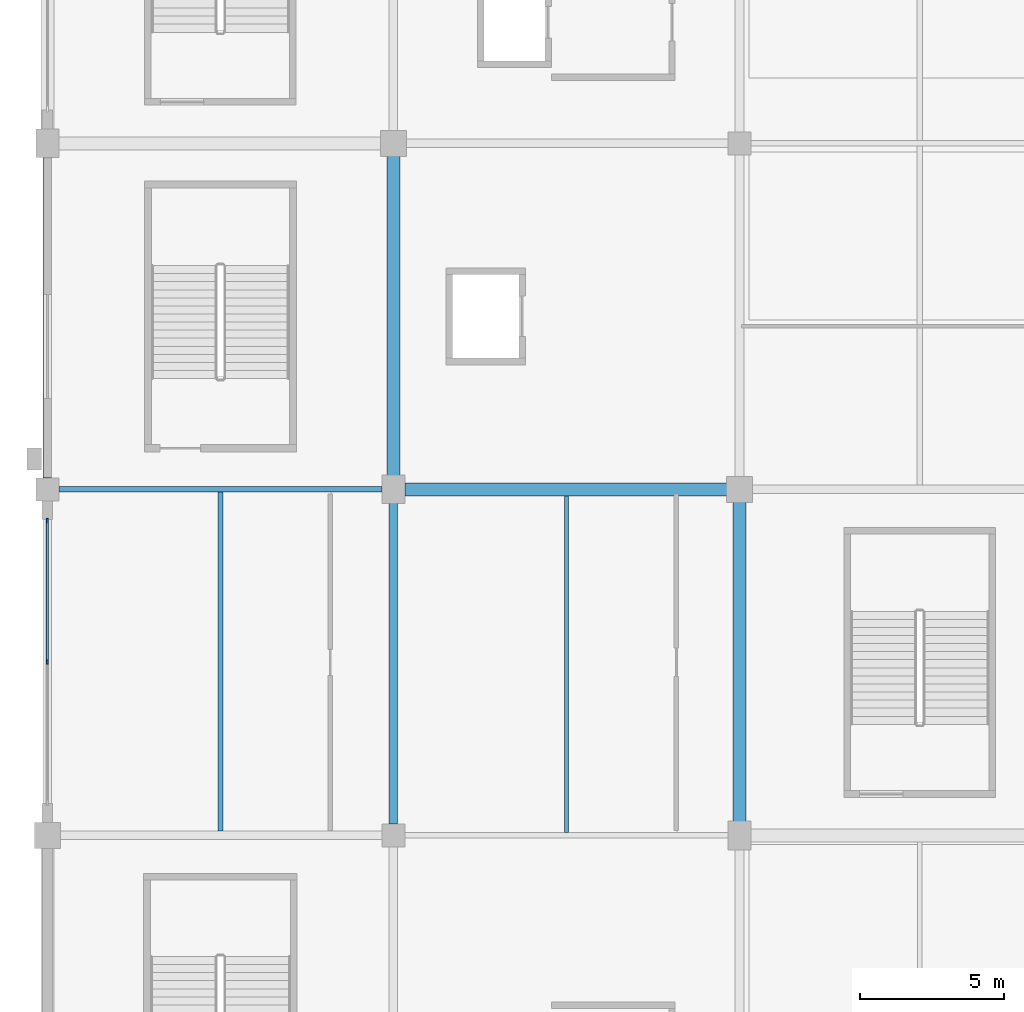
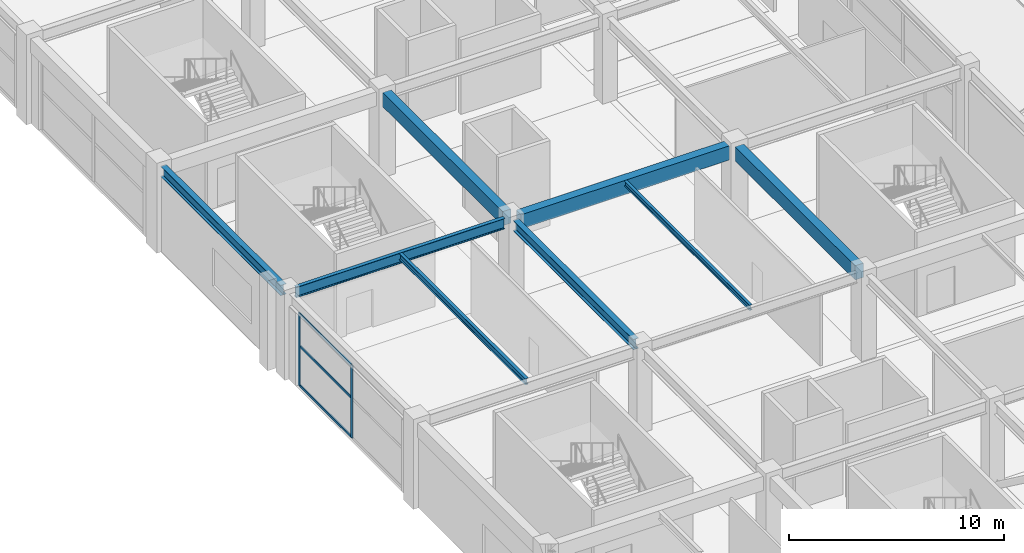
# One storey, part 27 of 116: 8 beams, 5 members, 1 element without a shape of its own.
"""IFC4 building model written with IfcOpenShell, lengths in metres."""

from ifc_helpers import new_model, si_unit, direction, frame, origin, origin_2d, place, context, subcontext, project, spatial, rectangle, i_section, extrude, material, layer, layer_set, material_profile, profile_set, type_object, element, aggregate, save


model = new_model("IFC4")

# Units and contexts
model_context = context("Model", 3, precision=1e-05, world=origin(), true_north=direction((0.0, 1.0)))
body_context = subcontext(model_context, "Body", "Model", "MODEL_VIEW")
ifc_project = project(units=[si_unit("LENGTHUNIT", "METRE"), si_unit("AREAUNIT", "SQUARE_METRE"), si_unit("VOLUMEUNIT", "CUBIC_METRE"), si_unit("PLANEANGLEUNIT", "RADIAN"), si_unit("MASSUNIT", "GRAM", prefix="KILO")], contexts=[model_context])

# Site, building, storey
site_placement = place(None, origin())
site = spatial("IfcSite", under=ifc_project, at=site_placement, CompositionType="ELEMENT")
building_placement = place(site_placement, origin())
building = spatial("IfcBuilding", under=site, at=building_placement, Name="Kazenohara Klinker Stadium", CompositionType="ELEMENT")
storey_placement = place(building_placement, frame((0.0, 0.0, 10.199951171875)))
storey = spatial("IfcBuildingStorey", under=building, at=storey_placement, Name="L02", CompositionType="ELEMENT", Elevation=10.199951171875)

# Beams
ifc_material_1 = material(Name="Steel S355", Category="steel")
ifc_material_profile_1 = material_profile(ifc_material_1, i_section(OverallWidth=0.175048828125, OverallDepth=0.35009765625, WebThickness=0.007080078125, FlangeThickness=0.010986328125, FilletRadius=0.012939453125, at=origin_2d()), Name="H-350x175x7x11")
ifc_profile_set_1 = profile_set([ifc_material_profile_1], Name="Steel S355")
beam_type_1 = type_object("IfcBeamType", Name="BM-JST04", PredefinedType="JOIST", material=ifc_profile_set_1)
beam_1_placement = place(storey_placement, frame((6.0, 120.14990234375, 4.64501953125), z_axis=(0.0, 1.0, 0.0), x_axis=(-1.0, 0.0, 0.0)))
element("IfcBeam", 1, at=beam_1_placement, inside=storey, type_object=beam_type_1, Name="Secondary floor joist SJ04 L02 1/L", PredefinedType="JOIST", context=body_context, shape_type="SweptSolid", body=[
    extrude(i_section(OverallWidth=0.175048828125, OverallDepth=0.35009765625, WebThickness=0.007080078125, FlangeThickness=0.010986328125, FilletRadius=0.012939453125, at=origin_2d()), origin(), (0.0, 0.0, 1.0), 11.75),
])
ifc_material_profile_2 = material_profile(ifc_material_1, i_section(OverallWidth=0.14990234375, OverallDepth=0.300048828125, WebThickness=0.006591796875, FlangeThickness=0.009033203125, FilletRadius=0.012939453125, at=origin_2d()), Name="H-300x150x6.5x9")
ifc_profile_set_2 = profile_set([ifc_material_profile_2], Name="Steel S355")
beam_type_2 = type_object("IfcBeamType", Name="BM-JST05", PredefinedType="JOIST", material=ifc_profile_set_2)
beam_2_placement = place(storey_placement, frame((18.0, 120.10009765625, 4.670166015625), z_axis=(0.0, 1.0, 0.0), x_axis=(-1.0, 0.0, 0.0)))
element("IfcBeam", 2, at=beam_2_placement, inside=storey, type_object=beam_type_2, Name="Secondary floor joist SJ05 L02 2/L", PredefinedType="JOIST", context=body_context, shape_type="SweptSolid", body=[
    extrude(i_section(OverallWidth=0.14990234375, OverallDepth=0.300048828125, WebThickness=0.006591796875, FlangeThickness=0.009033203125, FilletRadius=0.012939453125, at=origin_2d()), origin(), (0.0, 0.0, 1.0), 11.6748046875),
])
ifc_material_2 = material(Name="Concrete C40/50", Category="concrete")
ifc_material_profile_3 = material_profile(ifc_material_2, rectangle(XDim=0.449951171875, YDim=0.800048828125, at=origin_2d()), Name="RC-BM-450x800")
ifc_profile_set_3 = profile_set([ifc_material_profile_3], Name="Concrete C40/50")
beam_type_3 = type_object("IfcBeamType", Name="BM-RC03", PredefinedType="BEAM", material=ifc_profile_set_3)
beam_3_placement = place(storey_placement, frame((12.39990234375, 132.0, 4.420166015625), z_axis=(1.0, 0.0, 0.0), x_axis=(0.0, 1.0, 0.0)))
element("IfcBeam", 3, at=beam_3_placement, inside=storey, type_object=beam_type_3, Name="Primary girder BG03 L02 2-3/M", PredefinedType="BEAM", context=body_context, shape_type="SweptSolid", body=[
    extrude(rectangle(XDim=0.449951171875, YDim=0.800048828125, at=origin_2d()), origin(), (0.0, 0.0, 1.0), 11.18017578125),
])
for number, where, z_axis, x_axis, name in (
    (4, (12.0, 132.419921875, 4.420166015625), (0.0, 1.0, 0.0), (-1.0, 0.0, 0.0), "Primary girder BG03 L02 2/M-N"),
    (5, (24.0, 120.419921875, 4.420166015625), (0.0, 1.0, 0.0), (-1.0, 0.0, 0.0), "Primary girder BG03 L02 3/L-M"),
):
    element("IfcBeam", number, at=place(storey_placement, frame(where, z_axis=z_axis, x_axis=x_axis)), inside=storey, type_object=beam_type_3, Name=name, PredefinedType="BEAM", context=body_context, shape_type="SweptSolid", body=[
        extrude(rectangle(XDim=0.449951171875, YDim=0.800048828125, at=origin_2d()), origin(), (0.0, 0.0, 1.0), 11.16015625),
    ])
ifc_material_profile_4 = material_profile(ifc_material_1, i_section(OverallWidth=0.199951171875, OverallDepth=0.60009765625, WebThickness=0.010986328125, FlangeThickness=0.01708984375, FilletRadius=0.012939453125, at=origin_2d()), Name="H-600x200x11x17")
ifc_profile_set_4 = profile_set([ifc_material_profile_4], Name="Steel S355")
beam_type_4 = type_object("IfcBeamType", Name="BM-ST04", PredefinedType="BEAM", material=ifc_profile_set_4)
beam_4_placement = place(storey_placement, frame((0.39990234375, 132.0, 4.52001953125), z_axis=(1.0, 0.0, 0.0), x_axis=(0.0, 1.0, 0.0)))
element("IfcBeam", 6, at=beam_4_placement, inside=storey, type_object=beam_type_4, Name="Primary girder SB04 L02 1-2/M", PredefinedType="BEAM", context=body_context, shape_type="SweptSolid", body=[
    extrude(i_section(OverallWidth=0.199951171875, OverallDepth=0.60009765625, WebThickness=0.010986328125, FlangeThickness=0.01708984375, FilletRadius=0.012939453125, at=origin_2d()), origin(), (0.0, 0.0, 1.0), 11.2001953125),
])
ifc_material_profile_5 = material_profile(ifc_material_1, i_section(OverallWidth=0.300048828125, OverallDepth=0.587890625, WebThickness=0.011962890625, FlangeThickness=0.02001953125, FilletRadius=0.02197265625, at=origin_2d()), Name="H-588x300x12x20")
ifc_profile_set_5 = profile_set([ifc_material_profile_5], Name="Steel S355")
beam_type_5 = type_object("IfcBeamType", Name="BM-ST05", PredefinedType="BEAM", material=ifc_profile_set_5)
for number, where, z_axis, x_axis, name in (
    (7, (0.0, 132.39990234375, 4.526123046875), (0.0, 1.0, 0.0), (-1.0, 0.0, 0.0), "Primary girder SB05 L02 1/M-N"),
    (8, (12.0, 120.39990234375, 4.526123046875), (0.0, 1.0, 0.0), (-1.0, 0.0, 0.0), "Primary girder SB05 L02 2/L-M"),
):
    element("IfcBeam", number, at=place(storey_placement, frame(where, z_axis=z_axis, x_axis=x_axis)), inside=storey, type_object=beam_type_5, Name=name, PredefinedType="BEAM", context=body_context, shape_type="SweptSolid", body=[
        extrude(i_section(OverallWidth=0.300048828125, OverallDepth=0.587890625, WebThickness=0.011962890625, FlangeThickness=0.02001953125, FilletRadius=0.02197265625, at=origin_2d()), origin(), (0.0, 0.0, 1.0), 11.18017578125),
    ])

# Curtain wall, members
ifc_material_3 = material(Name="Anodised aluminium and triple glazing", Category="aluminium")
ifc_layer = layer(ifc_material_3, 0.159912109375)
ifc_layer_set = layer_set([ifc_layer], Name="Anodised aluminium and triple glazing")
curtain_wall_type = type_object("IfcCurtainWallType", Name="CW-SYS-01", PredefinedType="USERDEFINED", material=ifc_layer_set)
curtain_wall_placement = place(storey_placement, origin())
curtain_wall = element("IfcCurtainWall", 9, at=curtain_wall_placement, inside=storey, type_object=curtain_wall_type, Name="Unitised facade curtain wall CW01 L02 Y0-10", ObjectType="UNITISED CURTAIN WALL", PredefinedType="USERDEFINED")
ifc_material_4 = material(Name="Anodised aluminium 6063-T6", Category="aluminium")
ifc_material_profile_6 = material_profile(ifc_material_4, rectangle(XDim=0.06494140625, YDim=0.179931640625, at=origin_2d()), Name="ALU-MUL-65x180")
ifc_profile_set_6 = profile_set([ifc_material_profile_6], Name="Anodised aluminium 6063-T6")
member_type_1 = type_object("IfcMemberType", Name="CW-MUL-180", PredefinedType="MULLION", material=ifc_profile_set_6)
member_1_placement = place(storey_placement, frame((0.0, 126.02490234375, 0.0), z_axis=(0.0, 0.0, 1.0), x_axis=(-1.0, 0.0, 0.0)))
member_1 = element("IfcMember", 10, at=member_1_placement, type_object=member_type_1, Name="CW01 mullion 2", PredefinedType="MULLION", context=body_context, shape_type="SweptSolid", body=[
    extrude(rectangle(XDim=0.06494140625, YDim=0.179931640625, at=origin_2d()), origin(), (0.0, 0.0, 1.0), 4.1201171875),
])
member_2_placement = place(storey_placement, frame((0.0, 130.91357421875, 0.0), z_axis=(0.0, 0.0, 1.0), x_axis=(-1.0, 0.0, 0.0)))
member_2 = element("IfcMember", 11, at=member_2_placement, type_object=member_type_1, Name="CW01 mullion 3", PredefinedType="MULLION", context=body_context, shape_type="SweptSolid", body=[
    extrude(rectangle(XDim=0.06494140625, YDim=0.179931640625, at=origin_2d()), origin(), (0.0, 0.0, 1.0), 4.1201171875),
])
ifc_material_profile_7 = material_profile(ifc_material_4, rectangle(XDim=0.06494140625, YDim=0.139892578125, at=origin_2d()), Name="ALU-TRN-65x140")
ifc_profile_set_7 = profile_set([ifc_material_profile_7], Name="Anodised aluminium 6063-T6")
member_type_2 = type_object("IfcMemberType", Name="CW-TRN-140", PredefinedType="USERDEFINED", material=ifc_profile_set_7)
member_3_placement = place(storey_placement, frame((0.0, 126.0576171875, 0.032470703125), z_axis=(0.0, 1.0, 0.0), x_axis=(-1.0, 0.0, 0.0)))
member_3 = element("IfcMember", 12, at=member_3_placement, type_object=member_type_2, Name="CW01 transom 2.1", ObjectType="TRANSOM", PredefinedType="USERDEFINED", context=body_context, shape_type="SweptSolid", body=[
    extrude(rectangle(XDim=0.06494140625, YDim=0.139892578125, at=origin_2d()), origin(), (0.0, 0.0, 1.0), 4.823486328125),
])
member_4_placement = place(storey_placement, frame((0.0, 126.0576171875, 2.26611328125), z_axis=(0.0, 1.0, 0.0), x_axis=(-1.0, 0.0, 0.0)))
member_4 = element("IfcMember", 13, at=member_4_placement, type_object=member_type_2, Name="CW01 transom 2.2", ObjectType="TRANSOM", PredefinedType="USERDEFINED", context=body_context, shape_type="SweptSolid", body=[
    extrude(rectangle(XDim=0.06494140625, YDim=0.139892578125, at=origin_2d()), origin(), (0.0, 0.0, 1.0), 4.823486328125),
])
member_5_placement = place(storey_placement, frame((0.0, 126.0576171875, 4.087646484375), z_axis=(0.0, 1.0, 0.0), x_axis=(-1.0, 0.0, 0.0)))
member_5 = element("IfcMember", 14, at=member_5_placement, type_object=member_type_2, Name="CW01 transom 2.3", ObjectType="TRANSOM", PredefinedType="USERDEFINED", context=body_context, shape_type="SweptSolid", body=[
    extrude(rectangle(XDim=0.06494140625, YDim=0.139892578125, at=origin_2d()), origin(), (0.0, 0.0, 1.0), 4.823486328125),
])
aggregate(curtain_wall, [member_1, member_2, member_3, member_4, member_5])

save(model, "model.ifc")
